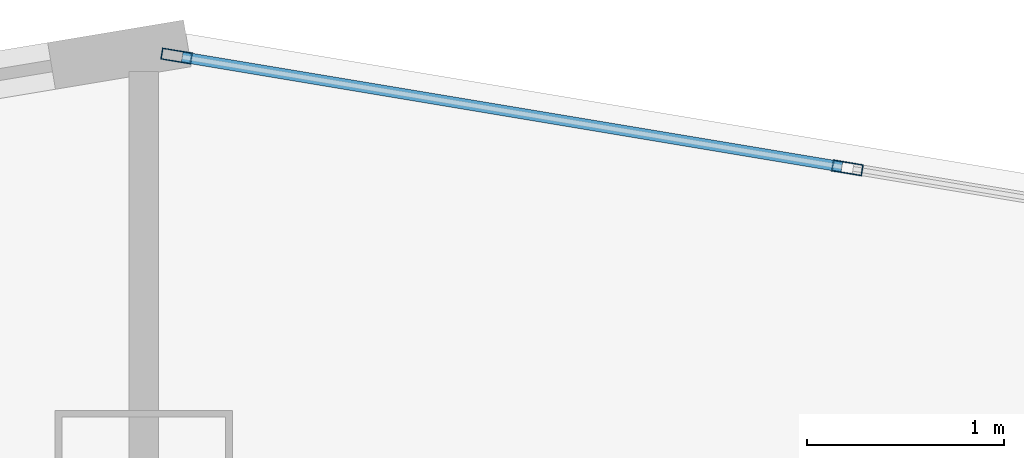
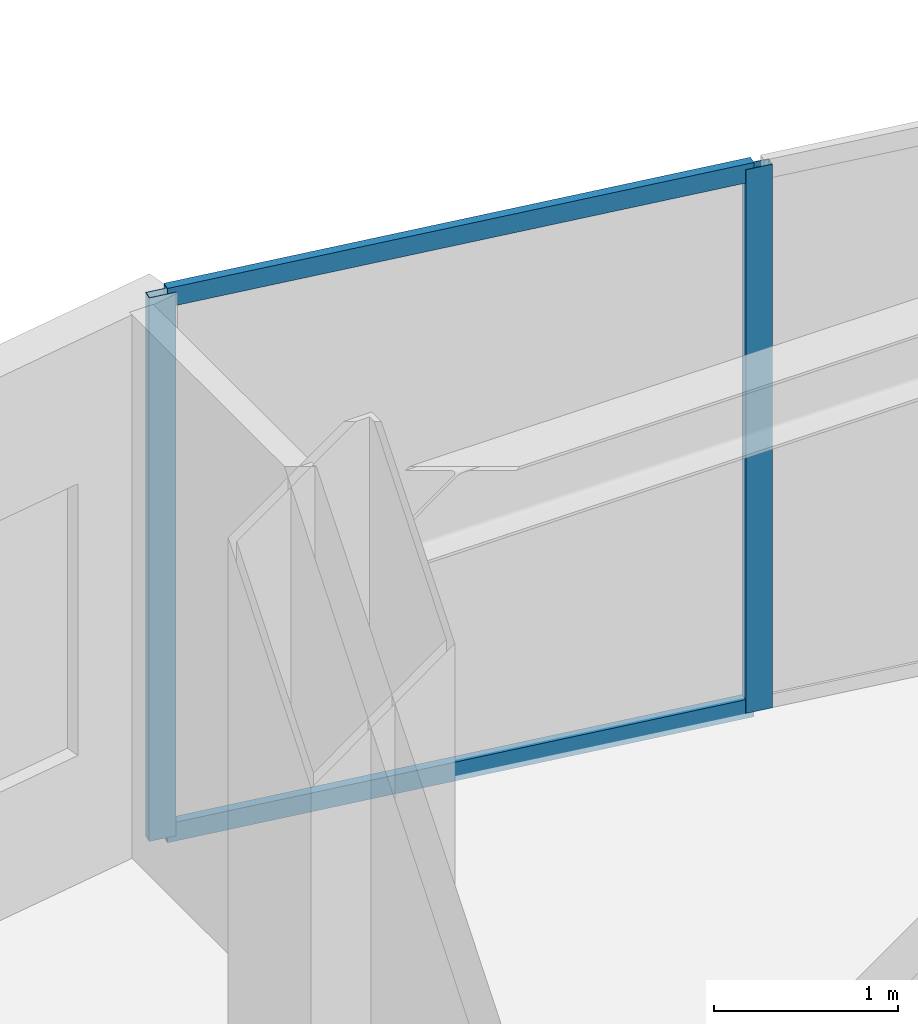
# One storey, part 2 of 14: 4 members, 1 element without a shape of its own.
"""IFC4 building model written with IfcOpenShell, lengths in metres."""

from ifc_helpers import new_model, si_unit, direction, frame, origin, origin_2d, place, context, subcontext, project, spatial, hollow_rectangle, extrude, material, layer, layer_set, material_profile, profile_set, type_object, element, aggregate, save


model = new_model("IFC4")

# Units and contexts
model_context = context("Model", 3, precision=1e-05, world=origin(), true_north=direction((0.0, 1.0)))
body_context = subcontext(model_context, "Body", "Model", "MODEL_VIEW")
ifc_project = project(units=[si_unit("LENGTHUNIT", "METRE"), si_unit("AREAUNIT", "SQUARE_METRE"), si_unit("VOLUMEUNIT", "CUBIC_METRE"), si_unit("PLANEANGLEUNIT", "RADIAN"), si_unit("MASSUNIT", "GRAM", prefix="KILO")], contexts=[model_context])

# Site, building, storey
site_placement = place(None, origin())
site = spatial("IfcSite", under=ifc_project, at=site_placement, CompositionType="ELEMENT")
building_placement = place(site_placement, origin())
building = spatial("IfcBuilding", under=site, at=building_placement, Name="Haolan Belvedere Tower", CompositionType="ELEMENT")
storey_placement = place(building_placement, frame((0.0, 0.0, 113.60009765625)))
storey = spatial("IfcBuildingStorey", under=building, at=storey_placement, Name="L28", CompositionType="ELEMENT", Elevation=113.60009765625)

# Curtain wall, members
ifc_material_1 = material(Name="Anodised champagne-silver aluminium 6063-T6 and Low-E glass", Category="aluminium")
ifc_layer = layer(ifc_material_1, 0.155029296875, Name="Anodised champagne-silver aluminium 6063-T6 and Low-E glass")
ifc_layer_set = layer_set([ifc_layer], Name="Anodised champagne-silver aluminium 6063-T6 and Low-E glass")
curtain_wall_type = type_object("IfcCurtainWallType", Name="CW-SYS-03", PredefinedType="NOTDEFINED", material=ifc_layer_set)
curtain_wall_placement = place(storey_placement, origin())
curtain_wall = element("IfcCurtainWall", 1, at=curtain_wall_placement, inside=storey, type_object=curtain_wall_type, Name="L28 CW-SYS-03 ribbon curtain wall 27.1", PredefinedType="NOTDEFINED")
ifc_material_2 = material(Name="Anodised aluminium 6063-T6", Category="aluminium")
ifc_material_profile_1 = material_profile(ifc_material_2, hollow_rectangle(XDim=0.05810546875, YDim=0.155029296875, WallThickness=0.00390625, at=origin_2d()), Name="Anodised aluminium 6063-T6")
ifc_profile_set_1 = profile_set([ifc_material_profile_1], Name="Anodised aluminium 6063-T6")
member_type_1 = type_object("IfcMemberType", Name="CW-SYS-03-MUL", PredefinedType="MULLION", material=ifc_profile_set_1)
member_1_placement = place(storey_placement, frame((41.9755859375, 52.082275390625, 0.0), z_axis=(0.0, 0.0, 1.0), x_axis=(-0.16440364043, -0.9863931483, 0.0)))
member_1 = element("IfcMember", 2, at=member_1_placement, type_object=member_type_1, Name="CW-03 mullion 2", PredefinedType="MULLION", context=body_context, shape_type="SweptSolid", body=[
    extrude(hollow_rectangle(XDim=0.05810546875, YDim=0.155029296875, WallThickness=0.00390625, at=origin_2d()), origin(), (0.0, 0.0, 1.0), 3.599853515625),
])
member_2_placement = place(storey_placement, frame((38.566650390625, 52.650634765625, 0.0), z_axis=(0.0, 0.0, 1.0), x_axis=(-0.16440364043, -0.9863931483, 0.0)))
member_2 = element("IfcMember", 3, at=member_2_placement, type_object=member_type_1, Name="CW-03 mullion 3", PredefinedType="MULLION", context=body_context, shape_type="SweptSolid", body=[
    extrude(hollow_rectangle(XDim=0.05810546875, YDim=0.155029296875, WallThickness=0.00390625, at=origin_2d()), origin(), (0.0, 0.0, 1.0), 3.599853515625),
])
ifc_material_profile_2 = material_profile(ifc_material_2, hollow_rectangle(XDim=0.053955078125, YDim=0.125, WallThickness=0.00390625, at=origin_2d()), Name="Anodised aluminium 6063-T6")
ifc_profile_set_2 = profile_set([ifc_material_profile_2], Name="Anodised aluminium 6063-T6")
member_type_2 = type_object("IfcMemberType", Name="CW-SYS-03-TRN", PredefinedType="USERDEFINED", material=ifc_profile_set_2)
member_3_placement = place(storey_placement, frame((41.947021484375, 52.087158203125, 0.02685546875), z_axis=(-0.986395865591, 0.16438733633, 0.0), x_axis=(-0.16438733633, -0.986395865591, 0.0)))
member_3 = element("IfcMember", 4, at=member_3_placement, type_object=member_type_2, Name="CW-03 transom 2.1", ObjectType="TRANSOM", PredefinedType="USERDEFINED", context=body_context, shape_type="SweptSolid", body=[
    extrude(hollow_rectangle(XDim=0.053955078125, YDim=0.125, WallThickness=0.00390625, at=origin_2d()), origin(), (0.0, 0.0, 1.0), 3.39794921875),
])
member_4_placement = place(storey_placement, frame((41.947021484375, 52.087158203125, 3.572998046875), z_axis=(-0.986395865591, 0.16438733633, 0.0), x_axis=(-0.16438733633, -0.986395865591, 0.0)))
member_4 = element("IfcMember", 5, at=member_4_placement, type_object=member_type_2, Name="CW-03 transom 2.2", ObjectType="TRANSOM", PredefinedType="USERDEFINED", context=body_context, shape_type="SweptSolid", body=[
    extrude(hollow_rectangle(XDim=0.053955078125, YDim=0.125, WallThickness=0.00390625, at=origin_2d()), origin(), (0.0, 0.0, 1.0), 3.39794921875),
])
aggregate(curtain_wall, [member_1, member_2, member_3, member_4])

save(model, "model.ifc")
